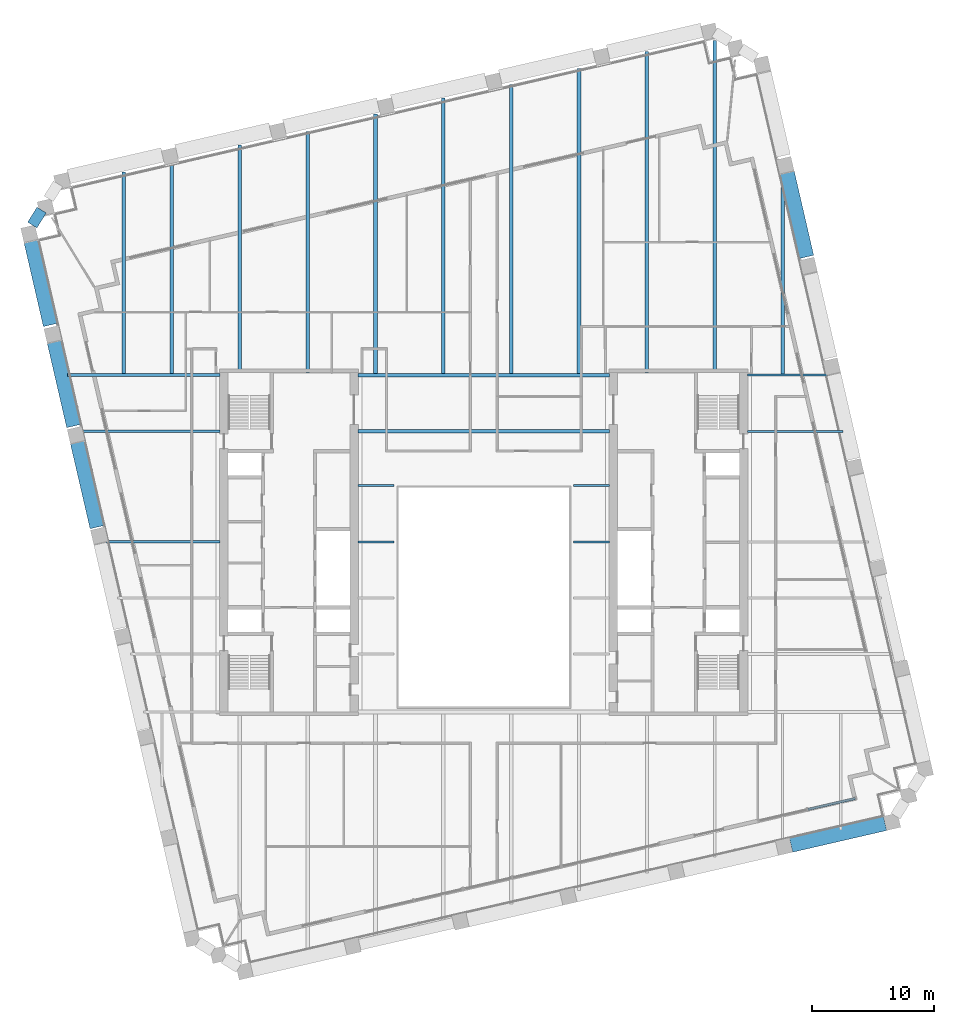
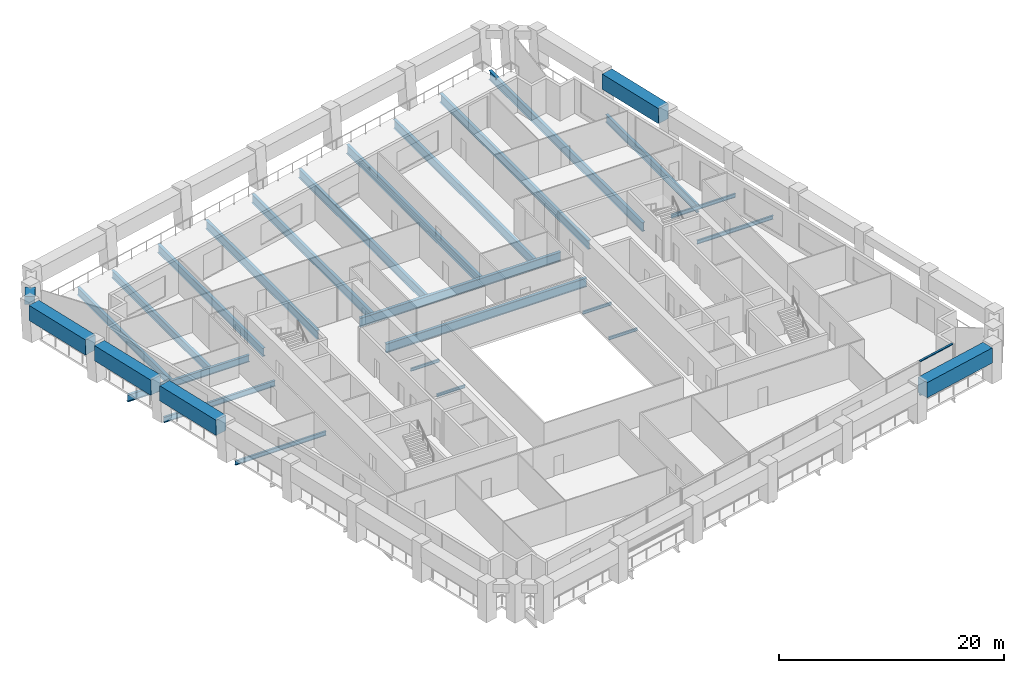
# One storey, part 4 of 14: 28 beams, 2 members, 1 element without a shape of its own.
"""IFC4 building model written with IfcOpenShell, lengths in metres."""

from ifc_helpers import new_model, si_unit, direction, frame, origin, origin_2d, place, context, subcontext, project, spatial, rectangle, i_section, extrude, material, material_profile, profile_set, type_object, element, aggregate, save


model = new_model("IFC4")

# Units and contexts
model_context = context("Model", 3, precision=1e-05, world=origin(), true_north=direction((0.0, 1.0)))
body_context = subcontext(model_context, "Body", "Model", "MODEL_VIEW")
ifc_project = project(units=[si_unit("LENGTHUNIT", "METRE"), si_unit("AREAUNIT", "SQUARE_METRE"), si_unit("VOLUMEUNIT", "CUBIC_METRE"), si_unit("PLANEANGLEUNIT", "RADIAN"), si_unit("MASSUNIT", "GRAM", prefix="KILO")], contexts=[model_context])

# Site, building, storey
site_placement = place(None, origin())
site = spatial("IfcSite", under=ifc_project, at=site_placement, CompositionType="ELEMENT")
building_placement = place(site_placement, origin())
building = spatial("IfcBuilding", under=site, at=building_placement, Name="Ogive Exchange Tower", CompositionType="ELEMENT")
storey_placement = place(building_placement, frame((0.0, 0.0, 222.0)))
storey = spatial("IfcBuildingStorey", under=building, at=storey_placement, Name="L49", CompositionType="ELEMENT", Elevation=222.0)

# Curtain wall, members
ifc_material_1 = material(Name="Anodised aluminium and clear glass", Category="aluminium")
curtain_wall_type = type_object("IfcCurtainWallType", Name="Executive floor glazing", PredefinedType="NOTDEFINED", material=ifc_material_1)
curtain_wall_placement = place(storey_placement, origin())
curtain_wall = element("IfcCurtainWall", 1, at=curtain_wall_placement, inside=storey, type_object=curtain_wall_type, Name="Executive floor glazing run G6", PredefinedType="NOTDEFINED")
ifc_material_2 = material(Name="Anodised aluminium", Category="aluminium")
ifc_material_profile_1 = material_profile(ifc_material_2, rectangle(XDim=0.199951171875, YDim=0.10009765625, at=origin_2d()), Name="AL 100x200")
ifc_profile_set_1 = profile_set([ifc_material_profile_1], Name="Anodised aluminium")
member_type = type_object("IfcMemberType", Name="Executive floor glazing transom 100 x 200", PredefinedType="USERDEFINED", material=ifc_profile_set_1)
member_1_placement = place(storey_placement, frame((26.644287109375, -10.4443359375, 0.050048828125), z_axis=(0.974377820927, 0.224917456159, 0.0), x_axis=(-0.224917456159, 0.974377820927, 0.0)))
member_1 = element("IfcMember", 2, at=member_1_placement, type_object=member_type, Name="G6 transom 2.1", ObjectType="TRANSOM", PredefinedType="USERDEFINED", context=body_context, shape_type="SweptSolid", body=[
    extrude(rectangle(XDim=0.199951171875, YDim=0.10009765625, at=origin_2d()), origin(), (0.0, 0.0, 1.0), 4.0),
])
member_2_placement = place(storey_placement, frame((26.644287109375, -10.4443359375, 3.699951171875), z_axis=(0.974377820927, 0.224917456159, 0.0), x_axis=(-0.224917456159, 0.974377820927, 0.0)))
member_2 = element("IfcMember", 3, at=member_2_placement, type_object=member_type, Name="G6 transom 2.2", ObjectType="TRANSOM", PredefinedType="USERDEFINED", context=body_context, shape_type="SweptSolid", body=[
    extrude(rectangle(XDim=0.199951171875, YDim=0.10009765625, at=origin_2d()), origin(), (0.0, 0.0, 1.0), 4.0),
])
aggregate(curtain_wall, [member_1, member_2])

# Beams
ifc_material_3 = material(Name="Steel ASTM A992 Gr50", Category="steel")
ifc_material_profile_2 = material_profile(ifc_material_3, i_section(OverallWidth=0.300048828125, OverallDepth=0.969970703125, WebThickness=0.01611328125, FlangeThickness=0.02099609375, at=origin_2d()), Name="W1000x222")
ifc_profile_set_2 = profile_set([ifc_material_profile_2], Name="Steel ASTM A992 Gr50")
beam_type_1 = type_object("IfcBeamType", Name="Floor beam W1000x222", PredefinedType="JOIST", material=ifc_profile_set_2)
beam_1_placement = place(storey_placement, frame((-14.472412109375, 25.39990234375, -0.735107421875), z_axis=(0.0, 1.0, 0.0), x_axis=(-1.0, 0.0, 0.0)))
element("IfcBeam", 4, at=beam_1_placement, inside=storey, type_object=beam_type_1, Name="Floor beam", PredefinedType="JOIST", context=body_context, shape_type="SweptSolid", body=[
    extrude(i_section(OverallWidth=0.300048828125, OverallDepth=0.969970703125, WebThickness=0.01611328125, FlangeThickness=0.02099609375, at=origin_2d()), origin(), (0.0, 0.0, 1.0), 19.8740234375),
])
ifc_material_profile_3 = material_profile(ifc_material_3, i_section(OverallWidth=0.300048828125, OverallDepth=0.97998046875, WebThickness=0.0166015625, FlangeThickness=0.026123046875, at=origin_2d()), Name="W1000x249")
ifc_profile_set_3 = profile_set([ifc_material_profile_3], Name="Steel ASTM A992 Gr50")
beam_type_2 = type_object("IfcBeamType", Name="Floor beam W1000x249", PredefinedType="JOIST", material=ifc_profile_set_3)
beam_2_placement = place(storey_placement, frame((-10.320068359375, 20.62255859375, -0.739990234375), z_axis=(1.0, 0.0, 0.0), x_axis=(0.0, 1.0, 0.0)))
element("IfcBeam", 5, at=beam_2_placement, inside=storey, type_object=beam_type_2, Name="Floor beam", PredefinedType="JOIST", context=body_context, shape_type="SweptSolid", body=[
    extrude(i_section(OverallWidth=0.300048828125, OverallDepth=0.97998046875, WebThickness=0.0166015625, FlangeThickness=0.026123046875, at=origin_2d()), origin(), (0.0, 0.0, 1.0), 20.64013671875),
])
beam_3_placement = place(storey_placement, frame((-8.896728515625, 25.39501953125, -0.739990234375), z_axis=(0.0, 1.0, 0.0), x_axis=(-1.0, 0.0, 0.0)))
element("IfcBeam", 6, at=beam_3_placement, inside=storey, type_object=beam_type_2, Name="Floor beam", PredefinedType="JOIST", context=body_context, shape_type="SweptSolid", body=[
    extrude(i_section(OverallWidth=0.300048828125, OverallDepth=0.97998046875, WebThickness=0.0166015625, FlangeThickness=0.026123046875, at=origin_2d()), origin(), (0.0, 0.0, 1.0), 21.316162109375),
])
beam_4_placement = place(storey_placement, frame((-3.321044921875, 25.39501953125, -0.739990234375), z_axis=(0.0, 1.0, 0.0), x_axis=(-1.0, 0.0, 0.0)))
element("IfcBeam", 7, at=beam_4_placement, inside=storey, type_object=beam_type_2, Name="Floor beam", PredefinedType="JOIST", context=body_context, shape_type="SweptSolid", body=[
    extrude(i_section(OverallWidth=0.300048828125, OverallDepth=0.97998046875, WebThickness=0.0166015625, FlangeThickness=0.026123046875, at=origin_2d()), origin(), (0.0, 0.0, 1.0), 22.603271484375),
])
beam_5_placement = place(storey_placement, frame((2.2548828125, 25.39501953125, -0.739990234375), z_axis=(0.0, 1.0, 0.0), x_axis=(-1.0, 0.0, 0.0)))
element("IfcBeam", 8, at=beam_5_placement, inside=storey, type_object=beam_type_2, Name="Floor beam", PredefinedType="JOIST", context=body_context, shape_type="SweptSolid", body=[
    extrude(i_section(OverallWidth=0.300048828125, OverallDepth=0.97998046875, WebThickness=0.0166015625, FlangeThickness=0.026123046875, at=origin_2d()), origin(), (0.0, 0.0, 1.0), 23.74072265625),
])
beam_6_placement = place(storey_placement, frame((7.83056640625, 25.39501953125, -0.739990234375), z_axis=(0.0, 1.0, 0.0), x_axis=(-1.0, 0.0, 0.0)))
element("IfcBeam", 9, at=beam_6_placement, inside=storey, type_object=beam_type_2, Name="Floor beam", PredefinedType="JOIST", context=body_context, shape_type="SweptSolid", body=[
    extrude(i_section(OverallWidth=0.300048828125, OverallDepth=0.97998046875, WebThickness=0.0166015625, FlangeThickness=0.026123046875, at=origin_2d()), origin(), (0.0, 0.0, 1.0), 25.028076171875),
])
beam_7_placement = place(storey_placement, frame((13.406494140625, 25.39990234375, -0.739990234375), z_axis=(0.0, 1.0, 0.0), x_axis=(-1.0, 0.0, 0.0)))
element("IfcBeam", 10, at=beam_7_placement, inside=storey, type_object=beam_type_2, Name="Floor beam", PredefinedType="JOIST", context=body_context, shape_type="SweptSolid", body=[
    extrude(i_section(OverallWidth=0.300048828125, OverallDepth=0.97998046875, WebThickness=0.0166015625, FlangeThickness=0.026123046875, at=origin_2d()), origin(), (0.0, 0.0, 1.0), 26.460205078125),
])
beam_8_placement = place(storey_placement, frame((18.982177734375, 25.39990234375, -0.739990234375), z_axis=(0.0, 1.0, 0.0), x_axis=(-1.0, 0.0, 0.0)))
element("IfcBeam", 11, at=beam_8_placement, inside=storey, type_object=beam_type_2, Name="Floor beam", PredefinedType="JOIST", context=body_context, shape_type="SweptSolid", body=[
    extrude(i_section(OverallWidth=0.300048828125, OverallDepth=0.97998046875, WebThickness=0.0166015625, FlangeThickness=0.026123046875, at=origin_2d()), origin(), (0.0, 0.0, 1.0), 27.33740234375),
])
ifc_material_profile_4 = material_profile(ifc_material_3, i_section(OverallWidth=0.1650390625, OverallDepth=0.31005859375, WebThickness=0.005859375, FlangeThickness=0.009765625, at=origin_2d()), Name="W310x38.7")
ifc_profile_set_4 = profile_set([ifc_material_profile_4], Name="Steel ASTM A992 Gr50")
beam_type_3 = type_object("IfcBeamType", Name="Floor beam W310x38.7", PredefinedType="JOIST", material=ifc_profile_set_4)
for number, where, z_axis, x_axis, name in (
    (12, (-10.320068359375, 11.543701171875, -0.405029296875), (1.0, 0.0, 0.0), (0.0, 1.0, 0.0), "Floor beam"),
    (13, (7.3701171875, 11.543701171875, -0.405029296875), (1.0, 0.0, 0.0), (0.0, 1.0, 0.0), "Floor beam"),
):
    element("IfcBeam", number, at=place(storey_placement, frame(where, z_axis=z_axis, x_axis=x_axis)), inside=storey, type_object=beam_type_3, Name=name, PredefinedType="JOIST", context=body_context, shape_type="SweptSolid", body=[
        extrude(i_section(OverallWidth=0.1650390625, OverallDepth=0.31005859375, WebThickness=0.005859375, FlangeThickness=0.009765625, at=origin_2d()), origin(), (0.0, 0.0, 1.0), 2.949951171875),
    ])
ifc_material_profile_5 = material_profile(ifc_material_3, i_section(OverallWidth=0.177978515625, OverallDepth=0.406005859375, WebThickness=0.0078125, FlangeThickness=0.0126953125, at=origin_2d()), Name="W410x60")
ifc_profile_set_5 = profile_set([ifc_material_profile_5], Name="Steel ASTM A992 Gr50")
beam_type_4 = type_object("IfcBeamType", Name="Floor beam W410x60", PredefinedType="JOIST", material=ifc_profile_set_5)
beam_9_placement = place(storey_placement, frame((21.679931640625, 20.62255859375, -0.452880859375), z_axis=(1.0, 0.0, 0.0), x_axis=(0.0, 1.0, 0.0)))
element("IfcBeam", 14, at=beam_9_placement, inside=storey, type_object=beam_type_4, Name="Floor beam", PredefinedType="JOIST", context=body_context, shape_type="SweptSolid", body=[
    extrude(i_section(OverallWidth=0.177978515625, OverallDepth=0.406005859375, WebThickness=0.0078125, FlangeThickness=0.0126953125, at=origin_2d()), origin(), (0.0, 0.0, 1.0), 7.845703125),
])
ifc_material_profile_6 = material_profile(ifc_material_3, i_section(OverallWidth=0.19091796875, OverallDepth=0.45703125, WebThickness=0.009033203125, FlangeThickness=0.014404296875, at=origin_2d()), Name="W460x74")
ifc_profile_set_6 = profile_set([ifc_material_profile_6], Name="Steel ASTM A992 Gr50")
beam_type_5 = type_object("IfcBeamType", Name="Floor beam W460x74", PredefinedType="JOIST", material=ifc_profile_set_6)
beam_10_placement = place(storey_placement, frame((-31.0302734375, 11.543701171875, -0.478515625), z_axis=(1.0, 0.0, 0.0), x_axis=(0.0, 1.0, 0.0)))
element("IfcBeam", 15, at=beam_10_placement, inside=storey, type_object=beam_type_5, Name="Floor beam", PredefinedType="JOIST", context=body_context, shape_type="SweptSolid", body=[
    extrude(i_section(OverallWidth=0.19091796875, OverallDepth=0.45703125, WebThickness=0.009033203125, FlangeThickness=0.014404296875, at=origin_2d()), origin(), (0.0, 0.0, 1.0), 9.350341796875),
])
ifc_material_profile_7 = material_profile(ifc_material_3, i_section(OverallWidth=0.22802734375, OverallDepth=0.60205078125, WebThickness=0.010498046875, FlangeThickness=0.014892578125, at=origin_2d()), Name="W610x101")
ifc_profile_set_7 = profile_set([ifc_material_profile_7], Name="Steel ASTM A992 Gr50")
beam_type_6 = type_object("IfcBeamType", Name="Floor beam W610x101", PredefinedType="JOIST", material=ifc_profile_set_7)
beam_11_placement = place(storey_placement, frame((-33.126220703125, 20.62255859375, -0.551025390625), z_axis=(1.0, 0.0, 0.0), x_axis=(0.0, 1.0, 0.0)))
element("IfcBeam", 16, at=beam_11_placement, inside=storey, type_object=beam_type_6, Name="Floor beam", PredefinedType="JOIST", context=body_context, shape_type="SweptSolid", body=[
    extrude(i_section(OverallWidth=0.22802734375, OverallDepth=0.60205078125, WebThickness=0.010498046875, FlangeThickness=0.014892578125, at=origin_2d()), origin(), (0.0, 0.0, 1.0), 11.4462890625),
])
ifc_material_profile_8 = material_profile(ifc_material_3, i_section(OverallWidth=0.2919921875, OverallDepth=0.8359375, WebThickness=0.013916015625, FlangeThickness=0.018798828125, at=origin_2d()), Name="W840x176")
ifc_profile_set_8 = profile_set([ifc_material_profile_8], Name="Steel ASTM A992 Gr50")
beam_type_7 = type_object("IfcBeamType", Name="Floor beam W840x176", PredefinedType="JOIST", material=ifc_profile_set_8)
beam_12_placement = place(storey_placement, frame((-29.599853515625, 25.37841796875, -0.66796875), z_axis=(0.0, 1.0, 0.0), x_axis=(-1.0, 0.0, 0.0)))
element("IfcBeam", 17, at=beam_12_placement, inside=storey, type_object=beam_type_7, Name="Floor beam", PredefinedType="JOIST", context=body_context, shape_type="SweptSolid", body=[
    extrude(i_section(OverallWidth=0.2919921875, OverallDepth=0.8359375, WebThickness=0.013916015625, FlangeThickness=0.018798828125, at=origin_2d()), origin(), (0.0, 0.0, 1.0), 16.552978515625),
])
beam_13_placement = place(storey_placement, frame((-25.6240234375, 25.37841796875, -0.66796875), z_axis=(0.0, 1.0, 0.0), x_axis=(-1.0, 0.0, 0.0)))
element("IfcBeam", 18, at=beam_13_placement, inside=storey, type_object=beam_type_7, Name="Floor beam", PredefinedType="JOIST", context=body_context, shape_type="SweptSolid", body=[
    extrude(i_section(OverallWidth=0.2919921875, OverallDepth=0.8359375, WebThickness=0.013916015625, FlangeThickness=0.018798828125, at=origin_2d()), origin(), (0.0, 0.0, 1.0), 17.32080078125),
])
beam_14_placement = place(storey_placement, frame((24.557861328125, 25.333984375, -0.66796875), z_axis=(0.0, 1.0, 0.0), x_axis=(-1.0, 0.0, 0.0)))
element("IfcBeam", 19, at=beam_14_placement, inside=storey, type_object=beam_type_7, Name="Floor beam", PredefinedType="JOIST", context=body_context, shape_type="SweptSolid", body=[
    extrude(i_section(OverallWidth=0.2919921875, OverallDepth=0.8359375, WebThickness=0.013916015625, FlangeThickness=0.018798828125, at=origin_2d()), origin(), (0.0, 0.0, 1.0), 16.306884765625),
])
ifc_material_profile_9 = material_profile(ifc_material_3, i_section(OverallWidth=0.304931640625, OverallDepth=0.904052734375, WebThickness=0.01513671875, FlangeThickness=0.02001953125, at=origin_2d()), Name="W920x201")
ifc_profile_set_9 = profile_set([ifc_material_profile_9], Name="Steel ASTM A992 Gr50")
beam_type_8 = type_object("IfcBeamType", Name="Floor beam W920x201", PredefinedType="JOIST", material=ifc_profile_set_9)
beam_15_placement = place(storey_placement, frame((-20.04833984375, 25.39990234375, -0.701904296875), z_axis=(0.0, 1.0, 0.0), x_axis=(-1.0, 0.0, 0.0)))
element("IfcBeam", 20, at=beam_15_placement, inside=storey, type_object=beam_type_8, Name="Floor beam", PredefinedType="JOIST", context=body_context, shape_type="SweptSolid", body=[
    extrude(i_section(OverallWidth=0.304931640625, OverallDepth=0.904052734375, WebThickness=0.01513671875, FlangeThickness=0.02001953125, at=origin_2d()), origin(), (0.0, 0.0, 1.0), 18.73681640625),
])
ifc_material_profile_10 = material_profile(ifc_material_3, i_section(OverallWidth=0.300048828125, OverallDepth=0.97998046875, WebThickness=0.0166015625, FlangeThickness=0.026123046875, at=origin_2d()), Name="W1000x249")
ifc_profile_set_10 = profile_set([ifc_material_profile_10], Name="Steel ASTM A992 Gr50")
beam_type_9 = type_object("IfcBeamType", Name="Girder W1000x249", PredefinedType="BEAM", material=ifc_profile_set_10)
beam_16_placement = place(storey_placement, frame((-10.320068359375, 25.2451171875, -0.739990234375), z_axis=(1.0, 0.0, 0.0), x_axis=(0.0, 1.0, 0.0)))
element("IfcBeam", 21, at=beam_16_placement, inside=storey, type_object=beam_type_9, Name="Header girder", PredefinedType="BEAM", context=body_context, shape_type="SweptSolid", body=[
    extrude(i_section(OverallWidth=0.300048828125, OverallDepth=0.97998046875, WebThickness=0.0166015625, FlangeThickness=0.026123046875, at=origin_2d()), origin(), (0.0, 0.0, 1.0), 20.64013671875),
])
ifc_material_profile_11 = material_profile(ifc_material_3, i_section(OverallWidth=0.1650390625, OverallDepth=0.31005859375, WebThickness=0.005859375, FlangeThickness=0.009765625, at=origin_2d()), Name="W310x38.7")
ifc_profile_set_11 = profile_set([ifc_material_profile_11], Name="Steel ASTM A992 Gr50")
beam_type_10 = type_object("IfcBeamType", Name="Girder W310x38.7", PredefinedType="BEAM", material=ifc_profile_set_11)
for number, where, z_axis, x_axis, name in (
    (22, (-10.320068359375, 16.155029296875, -0.405029296875), (1.0, 0.0, 0.0), (0.0, 1.0, 0.0), "Trimmer girder"),
    (23, (7.3701171875, 16.155029296875, -0.405029296875), (1.0, 0.0, 0.0), (0.0, 1.0, 0.0), "Trimmer girder"),
):
    element("IfcBeam", number, at=place(storey_placement, frame(where, z_axis=z_axis, x_axis=x_axis)), inside=storey, type_object=beam_type_10, Name=name, PredefinedType="BEAM", context=body_context, shape_type="SweptSolid", body=[
        extrude(i_section(OverallWidth=0.1650390625, OverallDepth=0.31005859375, WebThickness=0.005859375, FlangeThickness=0.009765625, at=origin_2d()), origin(), (0.0, 0.0, 1.0), 2.949951171875),
    ])
ifc_material_profile_12 = material_profile(ifc_material_3, i_section(OverallWidth=0.177978515625, OverallDepth=0.406005859375, WebThickness=0.0078125, FlangeThickness=0.0126953125, at=origin_2d()), Name="W410x60")
ifc_profile_set_12 = profile_set([ifc_material_profile_12], Name="Steel ASTM A992 Gr50")
beam_type_11 = type_object("IfcBeamType", Name="Girder W410x60", PredefinedType="BEAM", material=ifc_profile_set_12)
beam_17_placement = place(storey_placement, frame((21.679931640625, 25.2451171875, -0.452880859375), z_axis=(1.0, 0.0, 0.0), x_axis=(0.0, 1.0, 0.0)))
element("IfcBeam", 24, at=beam_17_placement, inside=storey, type_object=beam_type_11, Name="Header girder", PredefinedType="BEAM", context=body_context, shape_type="SweptSolid", body=[
    extrude(i_section(OverallWidth=0.177978515625, OverallDepth=0.406005859375, WebThickness=0.0078125, FlangeThickness=0.0126953125, at=origin_2d()), origin(), (0.0, 0.0, 1.0), 6.628662109375),
])
ifc_material_profile_13 = material_profile(ifc_material_3, i_section(OverallWidth=0.26708984375, OverallDepth=0.75390625, WebThickness=0.01318359375, FlangeThickness=0.01708984375, at=origin_2d()), Name="W760x147")
ifc_profile_set_13 = profile_set([ifc_material_profile_13], Name="Steel ASTM A992 Gr50")
beam_type_12 = type_object("IfcBeamType", Name="Girder W760x147", PredefinedType="BEAM", material=ifc_profile_set_13)
beam_18_placement = place(storey_placement, frame((-34.193359375, 25.2451171875, -0.626953125), z_axis=(1.0, 0.0, 0.0), x_axis=(0.0, 1.0, 0.0)))
element("IfcBeam", 25, at=beam_18_placement, inside=storey, type_object=beam_type_12, Name="Header girder", PredefinedType="BEAM", context=body_context, shape_type="SweptSolid", body=[
    extrude(i_section(OverallWidth=0.26708984375, OverallDepth=0.75390625, WebThickness=0.01318359375, FlangeThickness=0.01708984375, at=origin_2d()), origin(), (0.0, 0.0, 1.0), 12.513427734375),
])
ifc_material_4 = material(Name="Precast concrete C70/85 (limestone faced)", Category="masonry")
ifc_material_profile_14 = material_profile(ifc_material_4, rectangle(XDim=1.199951171875, YDim=1.64990234375, at=origin_2d()), Name="1200 x 1650")
ifc_profile_set_14 = profile_set([ifc_material_profile_14], Name="Precast concrete C70/85 (limestone faced)")
beam_type_13 = type_object("IfcBeamType", Name="Precast portal sill beam 1200 x 1650 C70/85", PredefinedType="BEAM", material=ifc_profile_set_14)
beam_19_placement = place(storey_placement, frame((25.249755859375, -13.383544921875, 3.125), z_axis=(0.974368388194, 0.224958316335, 0.0), x_axis=(-0.224958316335, 0.974368388194, 0.0)))
element("IfcBeam", 26, at=beam_19_placement, inside=storey, type_object=beam_type_13, Name="Slot sill beam 6", PredefinedType="BEAM", context=body_context, shape_type="SweptSolid", body=[
    extrude(rectangle(XDim=1.199951171875, YDim=1.64990234375, at=origin_2d()), origin(), (0.0, 0.0, 1.0), 7.93994140625),
])
beam_20_placement = place(storey_placement, frame((26.52734375, 34.96044921875, 3.125), z_axis=(-0.224936950795, 0.974373320739, 0.0), x_axis=(-0.974373320739, -0.224936950795, 0.0)))
element("IfcBeam", 27, at=beam_20_placement, inside=storey, type_object=beam_type_13, Name="Slot sill beam 14", PredefinedType="BEAM", context=body_context, shape_type="SweptSolid", body=[
    extrude(rectangle(XDim=1.199951171875, YDim=1.64990234375, at=origin_2d()), origin(), (0.0, 0.0, 1.0), 7.367431640625),
])
beam_21_placement = place(storey_placement, frame((-37.264404296875, 36.546142578125, 3.125), z_axis=(0.224968411241, -0.974366057467, 0.0), x_axis=(0.974366057467, 0.224968411241, 0.0)))
element("IfcBeam", 28, at=beam_21_placement, inside=storey, type_object=beam_type_13, Name="Slot sill beam 26", PredefinedType="BEAM", context=body_context, shape_type="SweptSolid", body=[
    extrude(rectangle(XDim=1.199951171875, YDim=1.64990234375, at=origin_2d()), origin(), (0.0, 0.0, 1.0), 7.36767578125),
])
for number, where, z_axis, x_axis, name in (
    (29, (-35.345947265625, 28.2373046875, 3.125), (0.224936950795, -0.974373320739, 0.0), (0.974373320739, 0.224936950795, 0.0), "Slot sill beam 27"),
    (30, (-33.427734375, 19.92822265625, 3.125), (0.224936950795, -0.974373320739, 0.0), (0.974373320739, 0.224936950795, 0.0), "Slot sill beam 28"),
):
    element("IfcBeam", number, at=place(storey_placement, frame(where, z_axis=z_axis, x_axis=x_axis)), inside=storey, type_object=beam_type_13, Name=name, PredefinedType="BEAM", context=body_context, shape_type="SweptSolid", body=[
        extrude(rectangle(XDim=1.199951171875, YDim=1.64990234375, at=origin_2d()), origin(), (0.0, 0.0, 1.0), 7.367431640625),
    ])
ifc_material_profile_15 = material_profile(ifc_material_4, rectangle(XDim=0.89990234375, YDim=0.89990234375, at=origin_2d()), Name="900 x 900")
ifc_profile_set_15 = profile_set([ifc_material_profile_15], Name="Precast concrete C70/85 (limestone faced)")
beam_type_14 = type_object("IfcBeamType", Name="Precast spandrel 900 x 900 C70/85", PredefinedType="SPANDREL", material=ifc_profile_set_15)
beam_22_placement = place(storey_placement, frame((-36.33642578125, 38.8046875, 3.5), z_axis=(-0.529953484787, -0.848026711821, 0.0), x_axis=(0.848026711821, -0.529953484787, 0.0)))
element("IfcBeam", 31, at=beam_22_placement, inside=storey, type_object=beam_type_14, Name="Spandrel 25", PredefinedType="SPANDREL", context=body_context, shape_type="SweptSolid", body=[
    extrude(rectangle(XDim=0.89990234375, YDim=0.89990234375, at=origin_2d()), origin(), (0.0, 0.0, 1.0), 1.448486328125),
])

save(model, "model.ifc")
